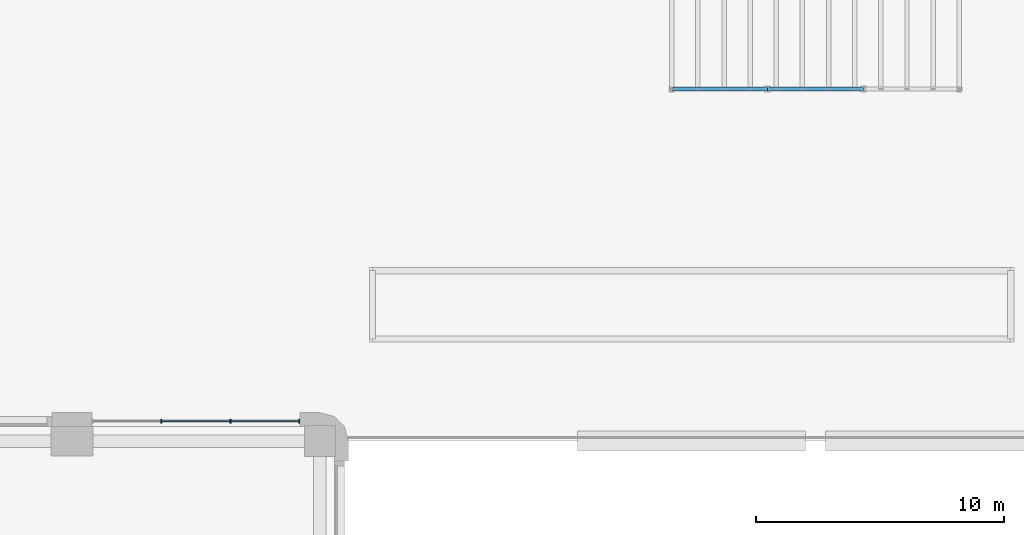
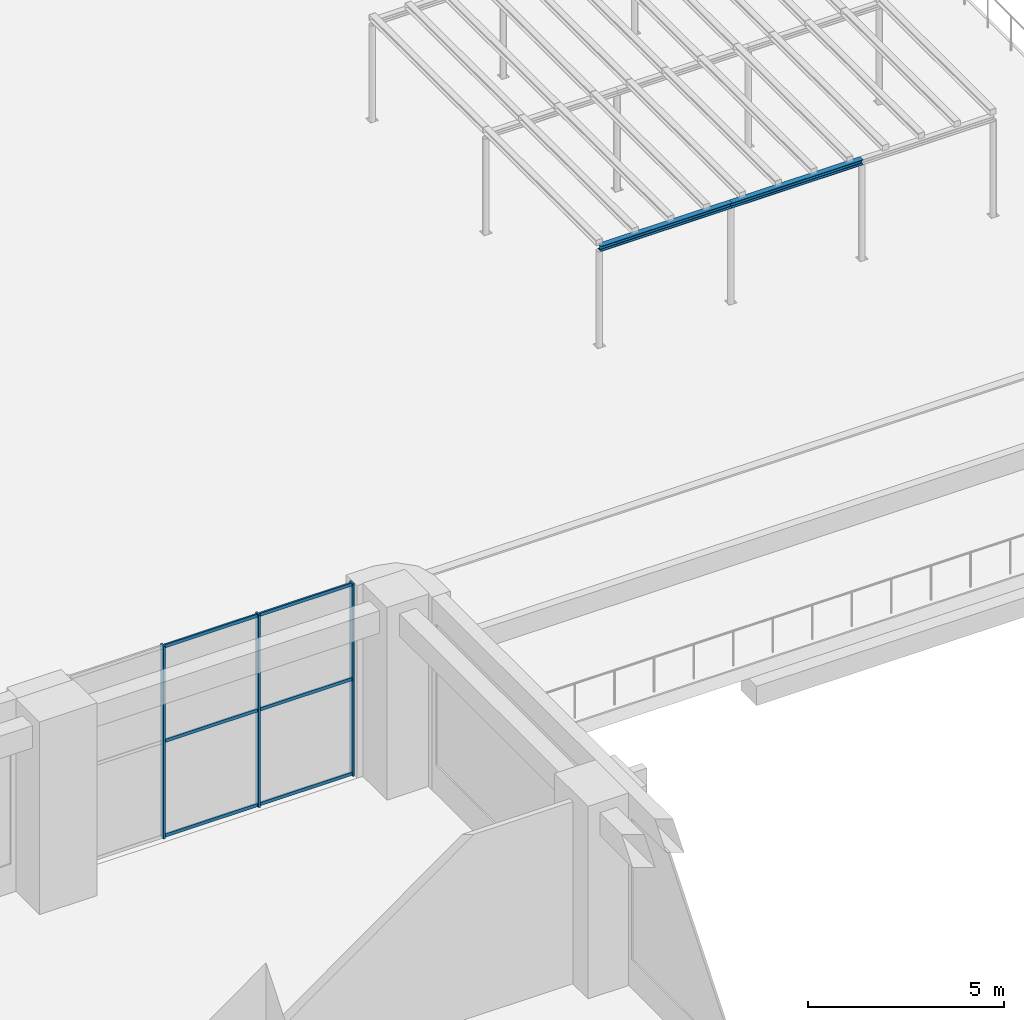
# One storey, part 10 of 28: 9 members, 2 beams, 1 element without a shape of its own.
"""IFC4 building model written with IfcOpenShell, lengths in metres."""

import ifcopenshell
import ifcopenshell.guid

model = None  # the IFC model being written
_history = None  # IfcOwnerHistory: only IFC2X3 demands one
_inside = {}  # id of a spatial element -> (the spatial element, [elements in it])
_under = {}  # id of a project, library or spatial element -> (it, [spatial elements below it])
_declared = {}  # id of a project -> (the project, [libraries it declares])
_typed = {}  # id of a type object -> (the type object, [elements of that type])
_made_of = {}  # id of a material, layer set ... -> (it, [elements and type objects made of it])


def new_model(schema):
    """Start an empty IFC model of exactly this schema.

    Asked for "IFC4X3", IfcOpenShell would pick the latest addendum, in which some entities
    have other attributes; the version numbers below select the first issue.
    IFC2X3 requires an IfcOwnerHistory on every rooted entity: one is made here for all.
    """
    global model, _history
    if schema == "IFC4X3":
        model = ifcopenshell.file(schema_version=(4, 3, 0, 0))
    else:
        model = ifcopenshell.file(schema=schema)
    _inside.clear()
    _under.clear()
    _declared.clear()
    _typed.clear()
    _made_of.clear()
    _history = None
    if model.schema == "IFC2X3":
        org = make("IfcOrganization", Name="unknown")
        user = make(
            "IfcPersonAndOrganization",
            ThePerson=make("IfcPerson", FamilyName="unknown"),
            TheOrganization=org,
        )
        app = make(
            "IfcApplication",
            ApplicationDeveloper=org,
            Version="unknown",
            ApplicationFullName="unknown",
            ApplicationIdentifier="unknown",
        )
        _history = make(
            "IfcOwnerHistory",
            OwningUser=user,
            OwningApplication=app,
            ChangeAction="ADDED",
            CreationDate=0,
        )
    return model


def make(cls, **values):
    """One entity of the class cls with the attributes given. An attribute that is None is left unset."""
    return model.create_entity(
        cls, **{name: value for name, value in values.items() if value is not None}
    )


def rooted(cls, **values):
    """An entity with a GlobalId (a new one), such as an element, a storey or a relation."""
    return make(cls, GlobalId=ifcopenshell.guid.new(), OwnerHistory=_history, **values)


def si_unit(unit_type, name, prefix=None):
    """IfcSIUnit, for example si_unit("LENGTHUNIT", "METRE", prefix="MILLI")."""
    return make("IfcSIUnit", UnitType=unit_type, Prefix=prefix, Name=name)


def assignment(units):
    """IfcUnitAssignment: the units of a project."""
    return None if units is None else make("IfcUnitAssignment", Units=units)


def point(xyz):
    """IfcCartesianPoint."""
    return None if xyz is None else make("IfcCartesianPoint", Coordinates=xyz)


def direction(xyz):
    """IfcDirection."""
    return None if xyz is None else make("IfcDirection", DirectionRatios=xyz)


def frame(location, z_axis=None, x_axis=None):
    """IfcAxis2Placement3D, a coordinate frame: its origin and axes. An axis left out is left unset."""
    return make(
        "IfcAxis2Placement3D",
        Location=point(location),
        Axis=direction(z_axis),
        RefDirection=direction(x_axis),
    )


def frame_2d(location, x_axis=None):
    """IfcAxis2Placement2D, a coordinate frame in the plane: its origin and x axis."""
    return make(
        "IfcAxis2Placement2D", Location=point(location), RefDirection=direction(x_axis)
    )


def origin():
    """The frame at (0, 0, 0) with its axes left unset."""
    return frame((0.0, 0.0, 0.0))


def origin_2d():
    """The frame at (0, 0) in the plane with its x axis left unset."""
    return frame_2d((0.0, 0.0))


def place(relative_to, where):
    """IfcLocalPlacement: puts the frame where relative to a parent placement (None: the world)."""
    return make(
        "IfcLocalPlacement", PlacementRelTo=relative_to, RelativePlacement=where
    )


def context(
    kind, dimensions, precision=None, world=None, true_north=None, identifier=None
):
    """IfcGeometricRepresentationContext, for example the 3D "Model" context."""
    return make(
        "IfcGeometricRepresentationContext",
        ContextIdentifier=identifier,
        ContextType=kind,
        CoordinateSpaceDimension=dimensions,
        Precision=precision,
        WorldCoordinateSystem=world,
        TrueNorth=true_north,
    )


def subcontext(parent, identifier, kind, view, scale=None):
    """IfcGeometricRepresentationSubContext, for example "Body" below "Model"."""
    return make(
        "IfcGeometricRepresentationSubContext",
        ContextIdentifier=identifier,
        ContextType=kind,
        ParentContext=parent,
        TargetScale=scale,
        TargetView=view,
    )


def project(units=None, contexts=None):
    """IfcProject with its units and contexts."""
    return rooted(
        "IfcProject",
        Name="project",
        RepresentationContexts=contexts,
        UnitsInContext=assignment(units),
    )


def spatial(cls, under=None, at=None, **own):
    """A site, building, storey or space (cls), placed at a placement, below another one or the project."""
    s = rooted(cls, ObjectPlacement=at, **own)
    if under is not None:
        _under.setdefault(under.id(), (under, []))[1].append(s)
    return s


def profile(cls, at=None, kind="AREA", **sizes):
    """A parametric profile (cls). Its sizes go by their IFC names, for example OverallWidth=200.0."""
    return make(cls, ProfileType=kind, Position=at, **sizes)


def rectangle(**sizes):
    """IfcRectangleProfileDef."""
    return profile("IfcRectangleProfileDef", **sizes)


def i_section(**sizes):
    """IfcIShapeProfileDef."""
    return profile("IfcIShapeProfileDef", **sizes)


def extrude(swept, where, along, depth):
    """IfcExtrudedAreaSolid: the profile swept, set in the frame where, extruded along a direction by depth."""
    return make(
        "IfcExtrudedAreaSolid",
        SweptArea=swept,
        Position=where,
        ExtrudedDirection=direction(along),
        Depth=depth,
    )


def shape(context_of_items, identifier, shape_type, items):
    """IfcShapeRepresentation: the items that make up one representation, for example the "Body"."""
    return make(
        "IfcShapeRepresentation",
        ContextOfItems=context_of_items,
        RepresentationIdentifier=identifier,
        RepresentationType=shape_type,
        Items=items,
    )


def material(Name=None, Category=None):
    """IfcMaterial."""
    return make("IfcMaterial", Name=Name, Category=Category)


def layer(
    of_material, thickness, ventilated=None, Name=None, Category=None, Priority=None
):
    """IfcMaterialLayer: one layer of a wall or slab, of a material (None: an air gap)."""
    return make(
        "IfcMaterialLayer",
        Material=of_material,
        LayerThickness=thickness,
        IsVentilated=ventilated,
        Name=Name,
        Category=Category,
        Priority=Priority,
    )


def layer_set(layers, Name=None):
    """IfcMaterialLayerSet."""
    return make("IfcMaterialLayerSet", MaterialLayers=layers, LayerSetName=Name)


def material_profile(
    of_material, cross_section, Name=None, Category=None, Priority=None
):
    """IfcMaterialProfile: a cross section and its material."""
    return make(
        "IfcMaterialProfile",
        Name=Name,
        Material=of_material,
        Profile=cross_section,
        Priority=Priority,
        Category=Category,
    )


def profile_set(profiles, Name=None, composite=None):
    """IfcMaterialProfileSet."""
    return make(
        "IfcMaterialProfileSet",
        Name=Name,
        MaterialProfiles=profiles,
        CompositeProfile=composite,
    )


def made_of(thing, what):
    """Note that an element or type object is made of a material, layer set ...; save() writes the relation."""
    if what is not None:
        _made_of.setdefault(what.id(), (what, []))[1].append(thing)
    return thing


def type_object(cls, material=None, **own):
    """A type object (cls), such as IfcWallType, which elements share."""
    return made_of(rooted(cls, **own), material)


def element(
    cls,
    number,
    at=None,
    inside=None,
    cuts=None,
    type_object=None,
    material=None,
    context=None,
    identifier="Body",
    shape_type=None,
    held_by="IfcProductDefinitionShape",
    body=None,
    shapes=None,
    **own,
):
    """One element of the class cls, such as IfcWall. Its Tag is "e" and its number.

    at: its placement. inside: the storey or other place that contains it. cuts: it is an
    opening in that element (IfcRelVoidsElement). A single representation is given by context,
    identifier, shape_type and body (its items); several are given by shapes. held_by: the class
    of the entity that holds the representations. save() writes the other relations.
    """
    e = rooted(cls, Tag="e%d" % number, ObjectPlacement=at, **own)
    if body is not None:
        shapes = [shape(context, identifier, shape_type, body)]
    if shapes is not None:
        e.Representation = make(held_by, Representations=shapes)
    if inside is not None:
        _inside.setdefault(inside.id(), (inside, []))[1].append(e)
    if cuts is not None:
        rooted(
            "IfcRelVoidsElement", RelatingBuildingElement=cuts, RelatedOpeningElement=e
        )
    if type_object is not None:
        _typed.setdefault(type_object.id(), (type_object, []))[1].append(e)
    return made_of(e, material)


def aggregate(whole, parts):
    """IfcRelAggregates: a whole, such as a stair, and the parts it consists of."""
    return rooted("IfcRelAggregates", RelatingObject=whole, RelatedObjects=parts)


def save(model, path):
    """Write the relations noted so far, then the file.

    IfcRelAggregates (storeys below a building ...), IfcRelContainedInSpatialStructure (elements
    in a storey), IfcRelDefinesByType, IfcRelAssociatesMaterial and IfcRelDeclares: one each for
    every whole, place, type object, material and project.
    """
    for whole, parts in _under.values():
        aggregate(whole, parts)
    for where, things in _inside.values():
        rooted(
            "IfcRelContainedInSpatialStructure",
            RelatedElements=things,
            RelatingStructure=where,
        )
    for kind, things in _typed.values():
        rooted("IfcRelDefinesByType", RelatedObjects=things, RelatingType=kind)
    for what, things in _made_of.values():
        rooted("IfcRelAssociatesMaterial", RelatedObjects=things, RelatingMaterial=what)
    for by, libraries in _declared.values():
        rooted("IfcRelDeclares", RelatingContext=by, RelatedDefinitions=libraries)
    model.write(path)


model = new_model("IFC4")

# Units and contexts
model_context = context("Model", 3, precision=1e-05, world=origin(), true_north=direction((0.0, 1.0)))
body_context = subcontext(model_context, "Body", "Model", "MODEL_VIEW")
ifc_project = project(units=[si_unit("LENGTHUNIT", "METRE"), si_unit("AREAUNIT", "SQUARE_METRE"), si_unit("VOLUMEUNIT", "CUBIC_METRE"), si_unit("PLANEANGLEUNIT", "RADIAN"), si_unit("MASSUNIT", "GRAM", prefix="KILO")], contexts=[model_context])

# Site, building, storey
site_placement = place(None, origin())
site = spatial("IfcSite", under=ifc_project, at=site_placement, CompositionType="ELEMENT")
building_placement = place(site_placement, origin())
building = spatial("IfcBuilding", under=site, at=building_placement, Name="Qaws Garden Tower", CompositionType="ELEMENT")
storey_placement = place(building_placement, frame((0.0, 0.0, 6.0)))
storey = spatial("IfcBuildingStorey", under=building, at=storey_placement, Name="L01", CompositionType="ELEMENT", Elevation=6.0)

# Curtain wall, members
ifc_material_1 = material(Name="Anodised aluminium curtain wall frame", Category="aluminium")
ifc_layer = layer(ifc_material_1, 0.159912109375)
ifc_layer_set = layer_set([ifc_layer], Name="Anodised aluminium curtain wall frame")
curtain_wall_type = type_object("IfcCurtainWallType", Name="CW4 garden level glazing curtain wall", PredefinedType="NOTDEFINED", material=ifc_layer_set)
curtain_wall_placement = place(storey_placement, origin())
curtain_wall = element("IfcCurtainWall", 1, at=curtain_wall_placement, inside=storey, type_object=curtain_wall_type, Name="CW4 Garden level glazing 08", PredefinedType="NOTDEFINED")
ifc_material_2 = material(Name="Anodised aluminium curtain wall frame", Category="aluminium")
ifc_material_profile_1 = material_profile(ifc_material_2, rectangle(XDim=0.159912109375, YDim=0.050048828125, at=origin_2d()), Name="AL 50x160")
ifc_profile_set_1 = profile_set([ifc_material_profile_1], Name="Anodised aluminium curtain wall frame")
member_type_1 = type_object("IfcMemberType", Name="CW4 mullion 50 x 160", PredefinedType="MULLION", material=ifc_profile_set_1)
member_1_placement = place(storey_placement, frame((69.175048828125, 30.800048828125, 0.0), z_axis=(0.0, 0.0, 1.0), x_axis=(0.0, -1.0, 0.0)))
member_1 = element("IfcMember", 2, at=member_1_placement, type_object=member_type_1, Name="CW4 mullion 1", PredefinedType="MULLION", context=body_context, shape_type="SweptSolid", body=[
    extrude(rectangle(XDim=0.159912109375, YDim=0.050048828125, at=origin_2d()), origin(), (0.0, 0.0, 1.0), 6.0),
])
member_2_placement = place(storey_placement, frame((66.39990234375, 30.800048828125, 0.0), z_axis=(0.0, 0.0, 1.0), x_axis=(0.0, -1.0, 0.0)))
member_2 = element("IfcMember", 3, at=member_2_placement, type_object=member_type_1, Name="CW4 mullion 2", PredefinedType="MULLION", context=body_context, shape_type="SweptSolid", body=[
    extrude(rectangle(XDim=0.159912109375, YDim=0.050048828125, at=origin_2d()), origin(), (0.0, 0.0, 1.0), 6.0),
])
member_3_placement = place(storey_placement, frame((63.60009765625, 30.800048828125, 0.0), z_axis=(0.0, 0.0, 1.0), x_axis=(0.0, -1.0, 0.0)))
member_3 = element("IfcMember", 4, at=member_3_placement, type_object=member_type_1, Name="CW4 mullion 3", PredefinedType="MULLION", context=body_context, shape_type="SweptSolid", body=[
    extrude(rectangle(XDim=0.159912109375, YDim=0.050048828125, at=origin_2d()), origin(), (0.0, 0.0, 1.0), 6.0),
])
ifc_material_3 = material(Name="Anodised aluminium curtain wall frame", Category="aluminium")
ifc_material_profile_2 = material_profile(ifc_material_3, rectangle(XDim=0.050048828125, YDim=0.10009765625, at=origin_2d()), Name="AL 50x100")
ifc_profile_set_2 = profile_set([ifc_material_profile_2], Name="Anodised aluminium curtain wall frame")
member_type_2 = type_object("IfcMemberType", Name="CW4 transom 100 x 50", PredefinedType="USERDEFINED", material=ifc_profile_set_2)
member_4_placement = place(storey_placement, frame((69.14990234375, 30.800048828125, 0.050048828125), z_axis=(-1.0, 0.0, 0.0), x_axis=(0.0, -1.0, 0.0)))
member_4 = element("IfcMember", 5, at=member_4_placement, type_object=member_type_2, Name="CW4 transom 1.1", ObjectType="TRANSOM", PredefinedType="USERDEFINED", context=body_context, shape_type="SweptSolid", body=[
    extrude(rectangle(XDim=0.050048828125, YDim=0.10009765625, at=origin_2d()), origin(), (0.0, 0.0, 1.0), 2.724853515625),
])
member_5_placement = place(storey_placement, frame((69.14990234375, 30.800048828125, 3.0), z_axis=(-1.0, 0.0, 0.0), x_axis=(0.0, -1.0, 0.0)))
member_5 = element("IfcMember", 6, at=member_5_placement, type_object=member_type_2, Name="CW4 transom 1.2", ObjectType="TRANSOM", PredefinedType="USERDEFINED", context=body_context, shape_type="SweptSolid", body=[
    extrude(rectangle(XDim=0.050048828125, YDim=0.10009765625, at=origin_2d()), origin(), (0.0, 0.0, 1.0), 2.724853515625),
])
member_6_placement = place(storey_placement, frame((69.14990234375, 30.800048828125, 5.949951171875), z_axis=(-1.0, 0.0, 0.0), x_axis=(0.0, -1.0, 0.0)))
member_6 = element("IfcMember", 7, at=member_6_placement, type_object=member_type_2, Name="CW4 transom 1.3", ObjectType="TRANSOM", PredefinedType="USERDEFINED", context=body_context, shape_type="SweptSolid", body=[
    extrude(rectangle(XDim=0.050048828125, YDim=0.10009765625, at=origin_2d()), origin(), (0.0, 0.0, 1.0), 2.724853515625),
])
member_7_placement = place(storey_placement, frame((66.375, 30.800048828125, 0.050048828125), z_axis=(-1.0, 0.0, 0.0), x_axis=(0.0, -1.0, 0.0)))
member_7 = element("IfcMember", 8, at=member_7_placement, type_object=member_type_2, Name="CW4 transom 2.1", ObjectType="TRANSOM", PredefinedType="USERDEFINED", context=body_context, shape_type="SweptSolid", body=[
    extrude(rectangle(XDim=0.050048828125, YDim=0.10009765625, at=origin_2d()), origin(), (0.0, 0.0, 1.0), 2.75),
])
member_8_placement = place(storey_placement, frame((66.375, 30.800048828125, 3.0), z_axis=(-1.0, 0.0, 0.0), x_axis=(0.0, -1.0, 0.0)))
member_8 = element("IfcMember", 9, at=member_8_placement, type_object=member_type_2, Name="CW4 transom 2.2", ObjectType="TRANSOM", PredefinedType="USERDEFINED", context=body_context, shape_type="SweptSolid", body=[
    extrude(rectangle(XDim=0.050048828125, YDim=0.10009765625, at=origin_2d()), origin(), (0.0, 0.0, 1.0), 2.75),
])
member_9_placement = place(storey_placement, frame((66.375, 30.800048828125, 5.949951171875), z_axis=(-1.0, 0.0, 0.0), x_axis=(0.0, -1.0, 0.0)))
member_9 = element("IfcMember", 10, at=member_9_placement, type_object=member_type_2, Name="CW4 transom 2.3", ObjectType="TRANSOM", PredefinedType="USERDEFINED", context=body_context, shape_type="SweptSolid", body=[
    extrude(rectangle(XDim=0.050048828125, YDim=0.10009765625, at=origin_2d()), origin(), (0.0, 0.0, 1.0), 2.75),
])
aggregate(curtain_wall, [member_1, member_2, member_3, member_4, member_5, member_6, member_7, member_8, member_9])

# Beams
ifc_material_4 = material(Name="Steel S355", Category="steel")
ifc_material_profile_3 = material_profile(ifc_material_4, i_section(OverallWidth=0.159912109375, OverallDepth=0.159912109375, WebThickness=0.008056640625, FlangeThickness=0.012939453125, FilletRadius=0.014892578125, at=origin_2d()), Name="HEB 160")
ifc_profile_set_3 = profile_set([ifc_material_profile_3], Name="Steel S355")
beam_type = type_object("IfcBeamType", Name="Pergola beam HEB 160", PredefinedType="BEAM", material=ifc_profile_set_3)
for number, where, z_axis, x_axis, name in (
    (11, (84.199951171875, 44.199951171875, 3.0400390625), (1.0, 0.0, 0.0), (0.0, 1.0, 0.0), "Pergola 2 beam 1.1"),
    (12, (88.066650390625, 44.199951171875, 3.0400390625), (1.0, 0.0, 0.0), (0.0, 1.0, 0.0), "Pergola 2 beam 1.2"),
):
    element("IfcBeam", number, at=place(storey_placement, frame(where, z_axis=z_axis, x_axis=x_axis)), inside=storey, type_object=beam_type, Name=name, PredefinedType="BEAM", context=body_context, shape_type="SweptSolid", body=[
        extrude(i_section(OverallWidth=0.159912109375, OverallDepth=0.159912109375, WebThickness=0.008056640625, FlangeThickness=0.012939453125, FilletRadius=0.014892578125, at=origin_2d()), origin(), (0.0, 0.0, 1.0), 3.86669921875),
    ])

save(model, "model.ifc")
